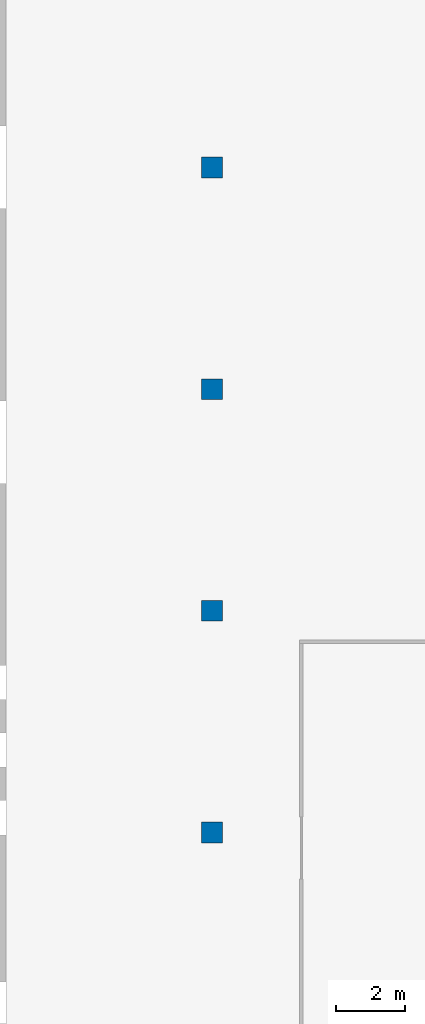
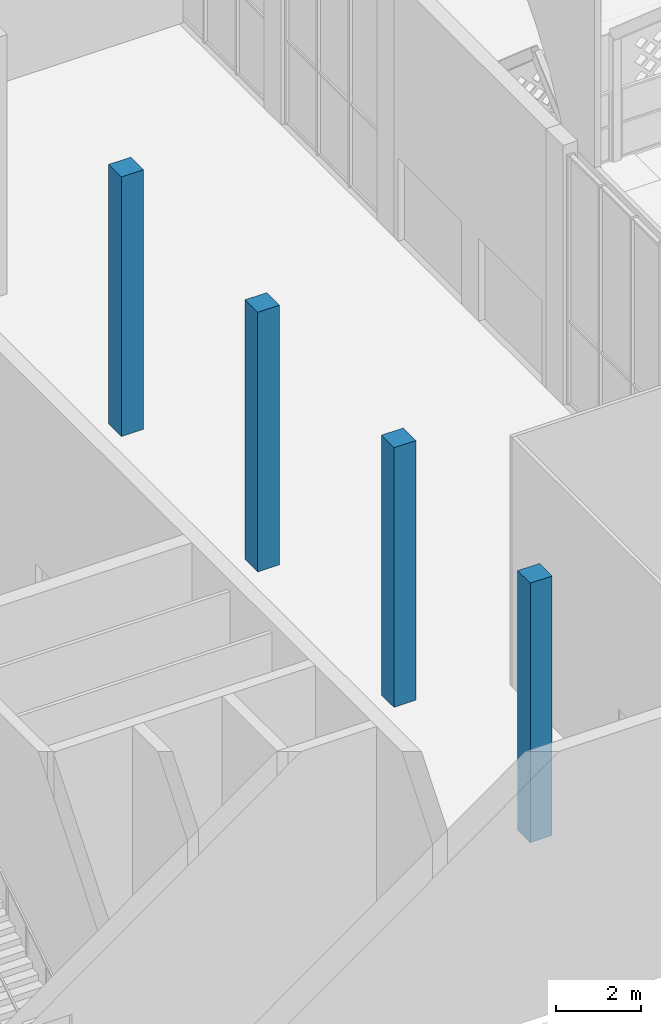
# One storey, part 5 of 79: 4 columns.
"""IFC4 building model written with IfcOpenShell, lengths in metres."""

from ifc_helpers import new_model, si_unit, direction, frame, origin, origin_2d, place, context, subcontext, project, spatial, rectangle, extrude, material, material_profile, profile_set, type_object, element, save


model = new_model("IFC4")

# Units and contexts
model_context = context("Model", 3, precision=1e-05, world=origin(), true_north=direction((0.0, 1.0)))
body_context = subcontext(model_context, "Body", "Model", "MODEL_VIEW")
ifc_project = project(units=[si_unit("LENGTHUNIT", "METRE"), si_unit("AREAUNIT", "SQUARE_METRE"), si_unit("VOLUMEUNIT", "CUBIC_METRE"), si_unit("PLANEANGLEUNIT", "RADIAN"), si_unit("MASSUNIT", "GRAM", prefix="KILO")], contexts=[model_context])

# Site, building, storey
site_placement = place(None, origin())
site = spatial("IfcSite", under=ifc_project, at=site_placement, CompositionType="ELEMENT")
building_placement = place(site_placement, origin())
building = spatial("IfcBuilding", under=site, at=building_placement, Name="Noorbagh Ring Tower", CompositionType="ELEMENT")
storey_placement = place(building_placement, origin())
storey = spatial("IfcBuildingStorey", under=building, at=storey_placement, Name="L00", CompositionType="ELEMENT", Elevation=0.0)

# Columns
ifc_material = material(Name="Concrete C50/60", Category="concrete")
ifc_material_profile = material_profile(ifc_material, rectangle(XDim=0.60009765625, YDim=0.60009765625, at=origin_2d()), Name="RC600x600")
ifc_profile_set = profile_set([ifc_material_profile], Name="Concrete C50/60")
column_type = type_object("IfcColumnType", Name="TH-COL-FOYER", PredefinedType="COLUMN", material=ifc_profile_set)
for number, where, z_axis, x_axis, name in (
    (1, (-104.800048828125, -14.35009765625, 0.0), (0.0, 0.0, 1.0), (1.0, 0.0, 0.0), "L00/th-col/foyer-1"),
    (2, (-104.800048828125, -7.89990234375, 0.0), (0.0, 0.0, 1.0), (1.0, 0.0, 0.0), "L00/th-col/foyer-2"),
    (3, (-104.800048828125, -1.449951171875, 0.0), (0.0, 0.0, 1.0), (1.0, 0.0, 0.0), "L00/th-col/foyer-3"),
    (4, (-104.800048828125, 5.0, 0.0), (0.0, 0.0, 1.0), (1.0, 0.0, 0.0), "L00/th-col/foyer-4"),
):
    element("IfcColumn", number, at=place(storey_placement, frame(where, z_axis=z_axis, x_axis=x_axis)), inside=storey, type_object=column_type, Name=name, PredefinedType="COLUMN", context=body_context, shape_type="SweptSolid", body=[
        extrude(rectangle(XDim=0.60009765625, YDim=0.60009765625, at=origin_2d()), origin(), (0.0, 0.0, 1.0), 7.5),
    ])

save(model, "model.ifc")
